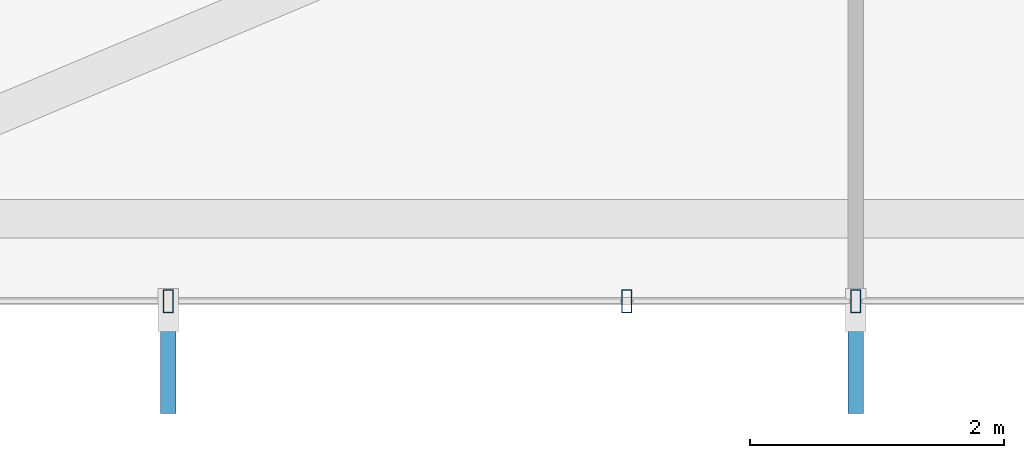
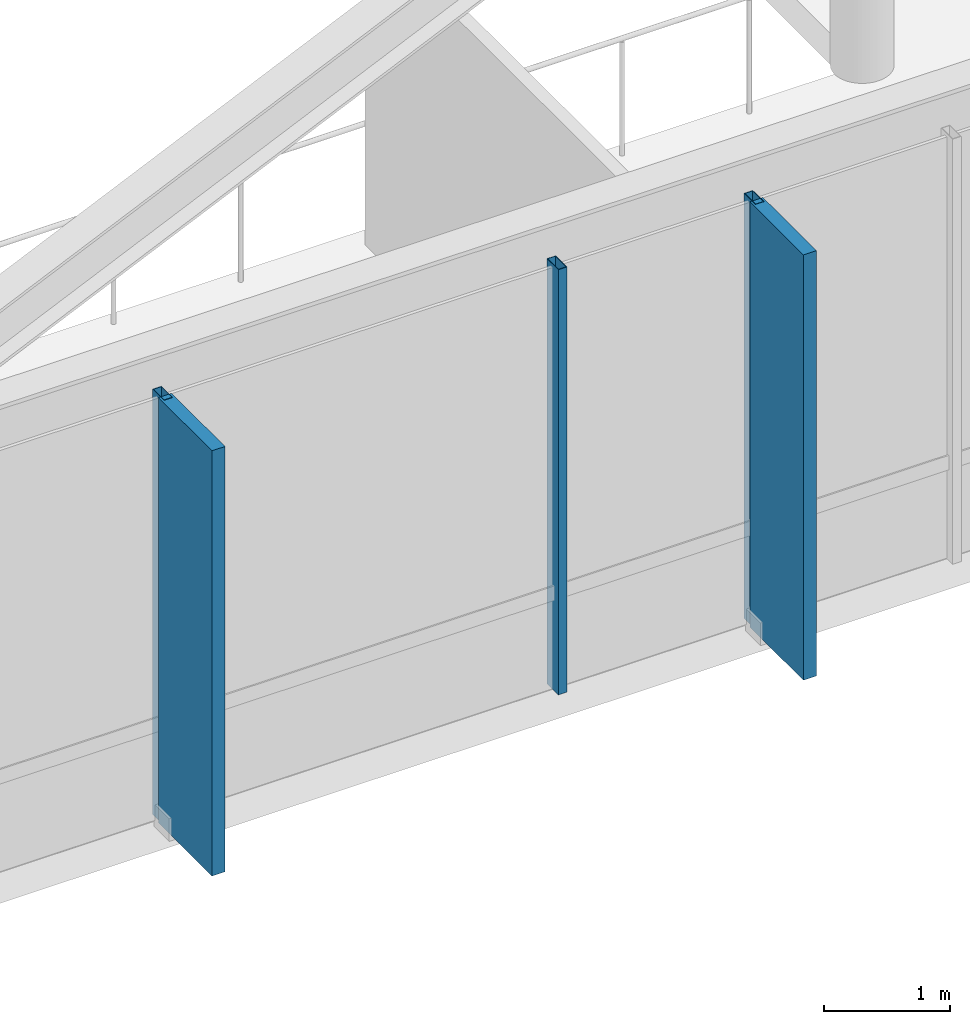
# One storey, part 6 of 27: 5 members, 1 element without a shape of its own.
"""IFC4 building model written with IfcOpenShell, lengths in metres."""

from ifc_helpers import new_model, si_unit, direction, frame, origin, origin_2d, place, context, subcontext, project, spatial, rectangle, hollow_rectangle, extrude, material, layer, layer_set, material_profile, profile_set, type_object, element, aggregate, save


model = new_model("IFC4")

# Units and contexts
model_context = context("Model", 3, precision=1e-05, world=origin(), true_north=direction((0.0, 1.0)))
body_context = subcontext(model_context, "Body", "Model", "MODEL_VIEW")
ifc_project = project(units=[si_unit("LENGTHUNIT", "METRE"), si_unit("AREAUNIT", "SQUARE_METRE"), si_unit("VOLUMEUNIT", "CUBIC_METRE"), si_unit("PLANEANGLEUNIT", "RADIAN"), si_unit("MASSUNIT", "GRAM", prefix="KILO")], contexts=[model_context])

# Site, building, storey
site_placement = place(None, origin())
site = spatial("IfcSite", under=ifc_project, at=site_placement, CompositionType="ELEMENT")
building_placement = place(site_placement, origin())
building = spatial("IfcBuilding", under=site, at=building_placement, Name="Zarrinselat Tower", CompositionType="ELEMENT")
storey_placement = place(building_placement, frame((0.0, 0.0, 114.580078125)))
storey = spatial("IfcBuildingStorey", under=building, at=storey_placement, Name="L27", CompositionType="ELEMENT", Elevation=114.580078125)

# Curtain wall, members
ifc_material_1 = material(Name="Extruded Aluminium Alloy EN AW-6063 T6", Category="aluminium")
ifc_layer = layer(ifc_material_1, 0.195068359375)
ifc_layer_set = layer_set([ifc_layer], Name="Extruded Aluminium Alloy EN AW-6063 T6")
curtain_wall_type = type_object("IfcCurtainWallType", Name="CWS-GDN", PredefinedType="NOTDEFINED", material=ifc_layer_set)
curtain_wall_placement = place(storey_placement, origin())
curtain_wall = element("IfcCurtainWall", 1, at=curtain_wall_placement, inside=storey, type_object=curtain_wall_type, Name="L27 Unitised Curtain Wall CW-L27-E01", PredefinedType="NOTDEFINED")
ifc_material_2 = material(Name="Extruded Aluminium Alloy EN AW-6063 T6", Category="aluminium")
ifc_material_profile_1 = material_profile(ifc_material_2, hollow_rectangle(XDim=0.080078125, YDim=0.179931640625, WallThickness=0.0048828125, at=origin_2d()), Name="RHS 180x80x5")
ifc_profile_set_1 = profile_set([ifc_material_profile_1], Name="Extruded Aluminium Alloy EN AW-6063 T6")
member_type_1 = type_object("IfcMemberType", Name="MEM-CW-MUL", PredefinedType="MULLION", material=ifc_profile_set_1)
member_1_placement = place(storey_placement, frame((38.39990234375, 18.147216796875, 0.0), z_axis=(0.0, 0.0, 1.0), x_axis=(-1.0, 0.0, 0.0)))
member_1 = element("IfcMember", 2, at=member_1_placement, type_object=member_type_1, Name="CW-L27-E01 Mullion 3", PredefinedType="MULLION", context=body_context, shape_type="SweptSolid", body=[
    extrude(hollow_rectangle(XDim=0.080078125, YDim=0.179931640625, WallThickness=0.0048828125, at=origin_2d()), origin(), (0.0, 0.0, 1.0), 4.119873046875),
])
member_2_placement = place(storey_placement, frame((36.593505859375, 18.147216796875, 0.0), z_axis=(0.0, 0.0, 1.0), x_axis=(-1.0, 0.0, 0.0)))
member_2 = element("IfcMember", 3, at=member_2_placement, type_object=member_type_1, Name="CW-L27-E01 Mullion 4", PredefinedType="MULLION", context=body_context, shape_type="SweptSolid", body=[
    extrude(hollow_rectangle(XDim=0.080078125, YDim=0.179931640625, WallThickness=0.0048828125, at=origin_2d()), origin(), (0.0, 0.0, 1.0), 4.119873046875),
])
member_3_placement = place(storey_placement, frame((32.980712890625, 18.147216796875, 0.0), z_axis=(0.0, 0.0, 1.0), x_axis=(-1.0, 0.0, 0.0)))
member_3 = element("IfcMember", 4, at=member_3_placement, type_object=member_type_1, Name="CW-L27-E01 Mullion 5", PredefinedType="MULLION", context=body_context, shape_type="SweptSolid", body=[
    extrude(hollow_rectangle(XDim=0.080078125, YDim=0.179931640625, WallThickness=0.0048828125, at=origin_2d()), origin(), (0.0, 0.0, 1.0), 4.119873046875),
])
ifc_material_3 = material(Name="Honed Cream Travertine Stone", Category="masonry")
ifc_material_profile_2 = material_profile(ifc_material_3, rectangle(XDim=0.1201171875, YDim=0.85009765625, at=origin_2d()), Name="FIN 850x120")
ifc_profile_set_2 = profile_set([ifc_material_profile_2], Name="Honed Cream Travertine Stone")
member_type_2 = type_object("IfcMemberType", Name="MEM-STONE-FIN", PredefinedType="USERDEFINED", material=ifc_profile_set_2)
member_4_placement = place(storey_placement, frame((38.39990234375, 17.68701171875, 0.0), z_axis=(0.0, 0.0, 1.0), x_axis=(-1.0, 0.0, 0.0)))
member_4 = element("IfcMember", 5, at=member_4_placement, type_object=member_type_2, Name="L27 Stone Shading Fin CW-L27-E01-03", ObjectType="FIN", PredefinedType="USERDEFINED", context=body_context, shape_type="SweptSolid", body=[
    extrude(rectangle(XDim=0.1201171875, YDim=0.85009765625, at=origin_2d()), origin(), (0.0, 0.0, 1.0), 4.119873046875),
])
member_5_placement = place(storey_placement, frame((32.980712890625, 17.68701171875, 0.0), z_axis=(0.0, 0.0, 1.0), x_axis=(-1.0, 0.0, 0.0)))
member_5 = element("IfcMember", 6, at=member_5_placement, type_object=member_type_2, Name="L27 Stone Shading Fin CW-L27-E01-05", ObjectType="FIN", PredefinedType="USERDEFINED", context=body_context, shape_type="SweptSolid", body=[
    extrude(rectangle(XDim=0.1201171875, YDim=0.85009765625, at=origin_2d()), origin(), (0.0, 0.0, 1.0), 4.119873046875),
])
aggregate(curtain_wall, [member_1, member_4, member_2, member_3, member_5])

save(model, "model.ifc")
